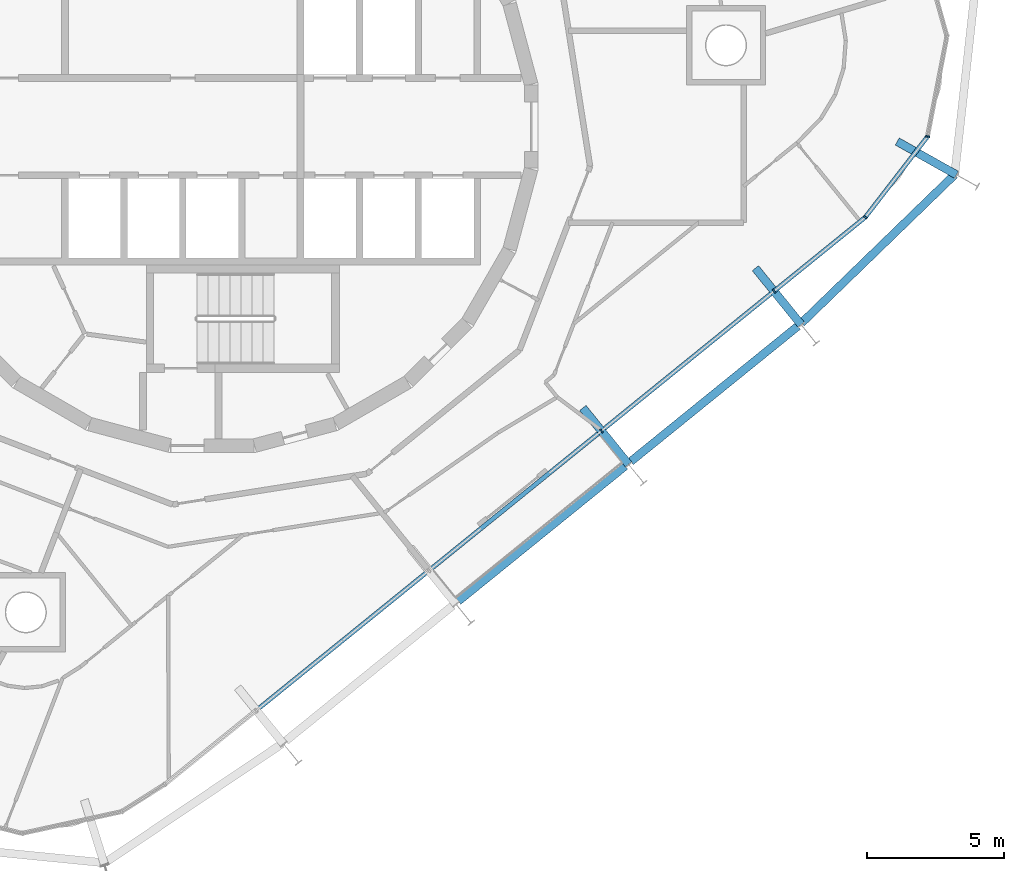
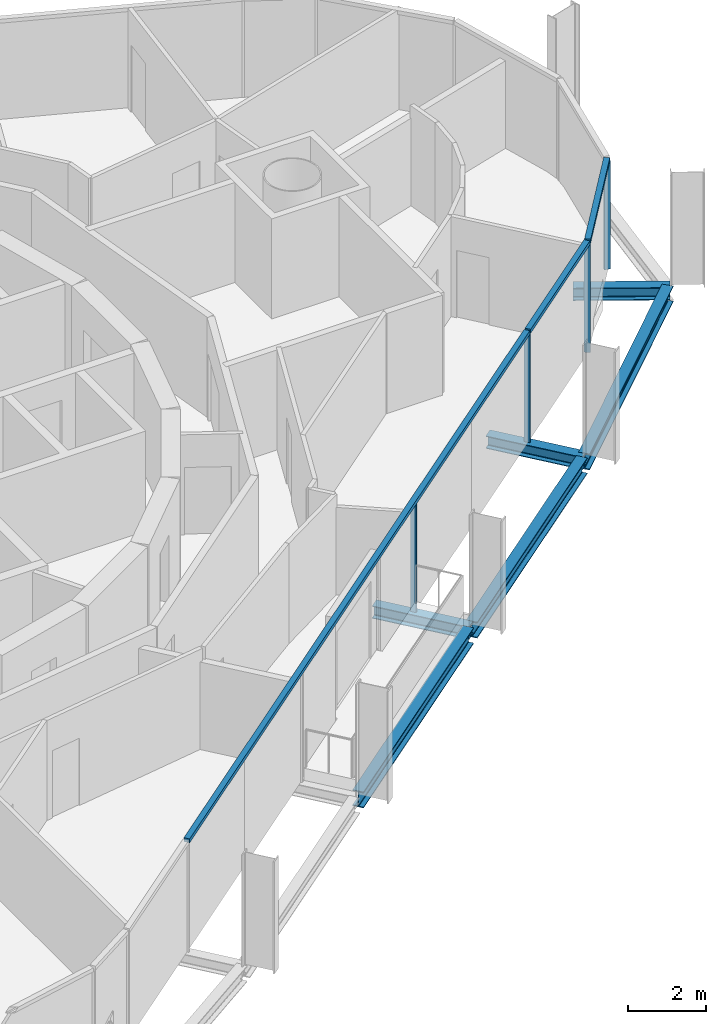
# One storey, part 4 of 18: 7 members, 6 beams, 2 elements without a shape of their own.
"""IFC4 building model written with IfcOpenShell, lengths in metres."""

from ifc_helpers import new_model, si_unit, direction, frame, origin, origin_2d, place, context, subcontext, project, spatial, rectangle, i_section, extrude, material, layer, layer_set, material_profile, profile_set, type_object, element, aggregate, save


model = new_model("IFC4")

# Units and contexts
model_context = context("Model", 3, precision=1e-05, world=origin(), true_north=direction((0.0, 1.0)))
body_context = subcontext(model_context, "Body", "Model", "MODEL_VIEW")
ifc_project = project(units=[si_unit("LENGTHUNIT", "METRE"), si_unit("AREAUNIT", "SQUARE_METRE"), si_unit("VOLUMEUNIT", "CUBIC_METRE"), si_unit("PLANEANGLEUNIT", "RADIAN"), si_unit("MASSUNIT", "GRAM", prefix="KILO")], contexts=[model_context])

# Site, building, storey
site_placement = place(None, origin())
site = spatial("IfcSite", under=ifc_project, at=site_placement, CompositionType="ELEMENT")
building_placement = place(site_placement, origin())
building = spatial("IfcBuilding", under=site, at=building_placement, Name="Spindle Arch Residences", CompositionType="ELEMENT")
storey_placement = place(building_placement, frame((0.0, 0.0, 280.89990234375)))
storey = spatial("IfcBuildingStorey", under=building, at=storey_placement, Name="L72", CompositionType="ELEMENT", Elevation=280.89990234375)

# Curtain wall, members
ifc_material_1 = material(Name="Aluminium bronze unitised frame with tinted glass", Category="aluminium")
ifc_layer_1 = layer(ifc_material_1, 0.159912109375)
ifc_layer_set_1 = layer_set([ifc_layer_1], Name="CW-D corner wall on the fillet arcs")
curtain_wall_type_1 = type_object("IfcCurtainWallType", Name="CW-D corner wall on the fillet arcs", PredefinedType="NOTDEFINED", material=ifc_layer_set_1)
curtain_wall_1_placement = place(storey_placement, origin())
curtain_wall_1 = element("IfcCurtainWall", 1, at=curtain_wall_1_placement, inside=storey, type_object=curtain_wall_type_1, Name="CW-D L72 run 1", PredefinedType="NOTDEFINED")
ifc_material_2 = material(Name="Aluminium bronze anodised mullion", Category="aluminium")
ifc_material_profile_1 = material_profile(ifc_material_2, rectangle(XDim=0.159912109375, YDim=0.06005859375, at=origin_2d()), Name="MU 60x160")
ifc_profile_set_1 = profile_set([ifc_material_profile_1], Name="Aluminium bronze anodised mullion")
member_type_1 = type_object("IfcMemberType", Name="Bronze mullion 60x160", PredefinedType="MULLION", material=ifc_profile_set_1)
member_1_placement = place(storey_placement, frame((20.512451171875, -6.006103515625, -0.3798828125), z_axis=(0.0, 0.0, 1.0), x_axis=(-0.62932039105, 0.777145961457, 0.0)))
member_1 = element("IfcMember", 2, at=member_1_placement, type_object=member_type_1, Name="CW-D mullion 00", PredefinedType="MULLION", context=body_context, shape_type="SweptSolid", body=[
    extrude(rectangle(XDim=0.159912109375, YDim=0.06005859375, at=origin_2d()), origin(), (0.0, 0.0, 1.0), 3.3798828125),
])
member_2_placement = place(storey_placement, frame((23.84423828125, -3.30810546875, -0.3798828125), z_axis=(0.0, 0.0, 1.0), x_axis=(-0.791579170105, 0.611066622764, 0.0)))
member_2 = element("IfcMember", 3, at=member_2_placement, type_object=member_type_1, Name="CW-D mullion 01", PredefinedType="MULLION", context=body_context, shape_type="SweptSolid", body=[
    extrude(rectangle(XDim=0.159912109375, YDim=0.06005859375, at=origin_2d()), origin(), (0.0, 0.0, 1.0), 3.3798828125),
])
member_3_placement = place(storey_placement, frame((26.12158203125, -0.358154296875, -0.3798828125), z_axis=(0.0, 0.0, 1.0), x_axis=(-0.981627183558, 0.190808994811, 0.0)))
member_3 = element("IfcMember", 4, at=member_3_placement, type_object=member_type_1, Name="CW-D mullion 02", PredefinedType="MULLION", context=body_context, shape_type="SweptSolid", body=[
    extrude(rectangle(XDim=0.159912109375, YDim=0.06005859375, at=origin_2d()), origin(), (0.0, 0.0, 1.0), 3.3798828125),
])

# Curtain wall, member
ifc_material_3 = material(Name="Aluminium bronze unitised frame with tinted glass", Category="aluminium")
ifc_layer_2 = layer(ifc_material_3, 0.159912109375)
ifc_layer_set_2 = layer_set([ifc_layer_2], Name="CW-C typical residential unitised wall")
curtain_wall_type_2 = type_object("IfcCurtainWallType", Name="CW-C typical residential unitised wall", PredefinedType="NOTDEFINED", material=ifc_layer_set_2)
curtain_wall_2_placement = place(storey_placement, origin())
curtain_wall_2 = element("IfcCurtainWall", 5, at=curtain_wall_2_placement, inside=storey, type_object=curtain_wall_type_2, Name="CW-C L72 run 6", PredefinedType="NOTDEFINED")
member_4_placement = place(storey_placement, frame((14.211669921875, -11.1083984375, -0.3798828125), z_axis=(0.0, 0.0, 1.0), x_axis=(-0.62932039105, 0.777145961457, 0.0)))
member_4 = element("IfcMember", 6, at=member_4_placement, type_object=member_type_1, Name="CW-C mullion 00", PredefinedType="MULLION", context=body_context, shape_type="SweptSolid", body=[
    extrude(rectangle(XDim=0.159912109375, YDim=0.06005859375, at=origin_2d()), origin(), (0.0, 0.0, 1.0), 3.3798828125),
])

# Member
ifc_material_4 = material(Name="Aluminium bronze anodised transom", Category="aluminium")
ifc_material_profile_2 = material_profile(ifc_material_4, rectangle(XDim=0.159912109375, YDim=0.1201171875, at=origin_2d()), Name="TR 120x160")
ifc_profile_set_2 = profile_set([ifc_material_profile_2], Name="Aluminium bronze anodised transom")
member_type_2 = type_object("IfcMemberType", Name="Bronze transom 120x160", PredefinedType="USERDEFINED", material=ifc_profile_set_2)
member_5_placement = place(storey_placement, frame((20.535888671875, -5.9873046875, 3.06005859375), z_axis=(0.777158783918, 0.6293045563, 0.0), x_axis=(-0.6293045563, 0.777158783918, 0.0)))
member_5 = element("IfcMember", 7, at=member_5_placement, type_object=member_type_2, Name="CW-D transom 00", ObjectType="TRANSOM", PredefinedType="USERDEFINED", context=body_context, shape_type="SweptSolid", body=[
    extrude(rectangle(XDim=0.159912109375, YDim=0.1201171875, at=origin_2d()), origin(), (0.0, 0.0, 1.0), 4.22705078125),
])

member_6_placement = place(storey_placement, frame((23.862548828125, -3.284423828125, 3.06005859375), z_axis=(0.611074135379, 0.791573370617, 0.0), x_axis=(-0.791573370617, 0.611074135379, 0.0)))
member_6 = element("IfcMember", 8, at=member_6_placement, type_object=member_type_2, Name="CW-D transom 01", ObjectType="TRANSOM", PredefinedType="USERDEFINED", context=body_context, shape_type="SweptSolid", body=[
    extrude(rectangle(XDim=0.159912109375, YDim=0.1201171875, at=origin_2d()), origin(), (0.0, 0.0, 1.0), 3.666748046875),
])

aggregate(curtain_wall_1, [member_1, member_5, member_2, member_6, member_3])

member_7_placement = place(storey_placement, frame((1.633544921875, -21.294189453125, 3.06005859375), z_axis=(0.777146208679, 0.629320085756, 0.0), x_axis=(-0.629320085756, 0.777146208679, 0.0)))
member_7 = element("IfcMember", 9, at=member_7_placement, type_object=member_type_2, Name="CW-C transom 00", ObjectType="TRANSOM", PredefinedType="USERDEFINED", context=body_context, shape_type="SweptSolid", body=[
    extrude(rectangle(XDim=0.159912109375, YDim=0.1201171875, at=origin_2d()), origin(), (0.0, 0.0, 1.0), 24.2626953125),
])

aggregate(curtain_wall_2, [member_7, member_4])

# Beams
ifc_material_5 = material(Name="Steel S460ML, intumescent coating R 120", Category="steel")
ifc_material_profile_3 = material_profile(ifc_material_5, i_section(OverallWidth=0.300048828125, OverallDepth=0.5, WebThickness=0.014404296875, FlangeThickness=0.028076171875, FilletRadius=0.027099609375, at=origin_2d()), Name="HEB 500")
ifc_profile_set_3 = profile_set([ifc_material_profile_3], Name="Steel S460ML, intumescent coating R 120")
beam_type_1 = type_object("IfcBeamType", Name="Exoskeleton edge beam HEB 500", PredefinedType="BEAM", material=ifc_profile_set_3)
beam_1_placement = place(storey_placement, frame((15.281982421875, -12.223388671875, -0.6298828125), z_axis=(0.777152125993, 0.629312778406, 0.0), x_axis=(-0.629312778406, 0.777152125993, 0.0)))
element("IfcBeam", 10, at=beam_1_placement, inside=storey, type_object=beam_type_1, Name="Exoskeleton edge beam 1", PredefinedType="BEAM", context=body_context, shape_type="SweptSolid", body=[
    extrude(i_section(OverallWidth=0.300048828125, OverallDepth=0.5, WebThickness=0.014404296875, FlangeThickness=0.028076171875, FilletRadius=0.027099609375, at=origin_2d()), origin(), (0.0, 0.0, 1.0), 7.847412109375),
])
beam_2_placement = place(storey_placement, frame((21.51025390625, -7.176025390625, -0.6298828125), z_axis=(0.718254418366, 0.695780562029, 0.0), x_axis=(-0.695780562029, 0.718254418366, 0.0)))
element("IfcBeam", 11, at=beam_2_placement, inside=storey, type_object=beam_type_1, Name="Exoskeleton edge beam 2", PredefinedType="BEAM", context=body_context, shape_type="SweptSolid", body=[
    extrude(i_section(OverallWidth=0.300048828125, OverallDepth=0.5, WebThickness=0.014404296875, FlangeThickness=0.028076171875, FilletRadius=0.027099609375, at=origin_2d()), origin(), (0.0, 0.0, 1.0), 7.7890625),
])
beam_3_placement = place(storey_placement, frame((8.981201171875, -17.32568359375, -0.6298828125), z_axis=(0.777152125993, 0.629312778406, 0.0), x_axis=(-0.629312778406, 0.777152125993, 0.0)))
element("IfcBeam", 12, at=beam_3_placement, inside=storey, type_object=beam_type_1, Name="Exoskeleton edge beam 20", PredefinedType="BEAM", context=body_context, shape_type="SweptSolid", body=[
    extrude(i_section(OverallWidth=0.300048828125, OverallDepth=0.5, WebThickness=0.014404296875, FlangeThickness=0.028076171875, FilletRadius=0.027099609375, at=origin_2d()), origin(), (0.0, 0.0, 1.0), 7.847412109375),
])
ifc_material_6 = material(Name="Steel S460ML, intumescent coating R 120", Category="steel")
ifc_material_profile_4 = material_profile(ifc_material_6, i_section(OverallWidth=0.300048828125, OverallDepth=0.389892578125, WebThickness=0.010986328125, FlangeThickness=0.01904296875, FilletRadius=0.027099609375, at=origin_2d()), Name="HEA 400")
ifc_profile_set_4 = profile_set([ifc_material_profile_4], Name="Steel S460ML, intumescent coating R 120")
beam_type_2 = type_object("IfcBeamType", Name="Floor outrigger HEA 400", PredefinedType="BEAM", material=ifc_profile_set_4)
for number, where, z_axis, x_axis, name in (
    (13, (15.19970703125, -12.32861328125, -0.574951171875), (-0.629301579077, 0.777161194715, 0.0), (-0.777161194715, -0.629301579077, 0.0), "Floor outrigger 1"),
    (14, (21.50048828125, -7.226318359375, -0.574951171875), (-0.629301579077, 0.777161194715, 0.0), (-0.777161194715, -0.629301579077, 0.0), "Floor outrigger 2"),
):
    element("IfcBeam", number, at=place(storey_placement, frame(where, z_axis=z_axis, x_axis=x_axis)), inside=storey, type_object=beam_type_2, Name=name, PredefinedType="BEAM", context=body_context, shape_type="SweptSolid", body=[
        extrude(i_section(OverallWidth=0.300048828125, OverallDepth=0.389892578125, WebThickness=0.010986328125, FlangeThickness=0.01904296875, FilletRadius=0.027099609375, at=origin_2d()), origin(), (0.0, 0.0, 1.0), 2.650146484375),
    ])
beam_4_placement = place(storey_placement, frame((27.172607421875, -1.75537109375, -0.574951171875), z_axis=(-0.871838442856, 0.489793558102, 0.0), x_axis=(-0.489793558102, -0.871838442856, 0.0)))
element("IfcBeam", 15, at=beam_4_placement, inside=storey, type_object=beam_type_2, Name="Floor outrigger 3", PredefinedType="BEAM", context=body_context, shape_type="SweptSolid", body=[
    extrude(i_section(OverallWidth=0.300048828125, OverallDepth=0.389892578125, WebThickness=0.010986328125, FlangeThickness=0.01904296875, FilletRadius=0.027099609375, at=origin_2d()), origin(), (0.0, 0.0, 1.0), 2.478759765625),
])

save(model, "model.ifc")
